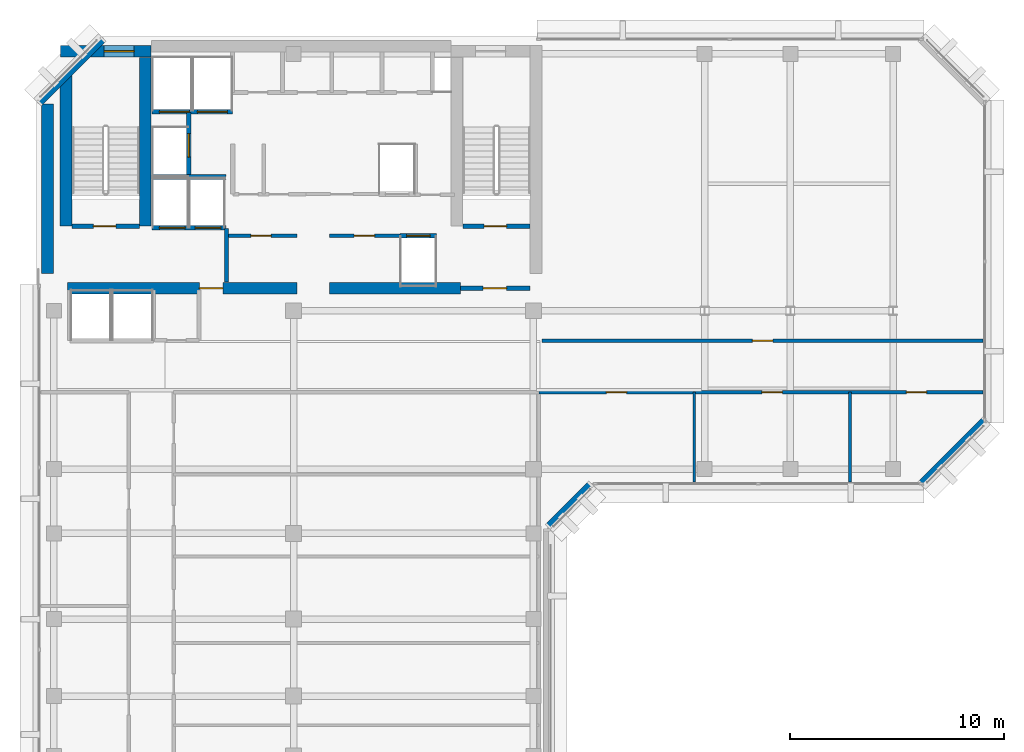
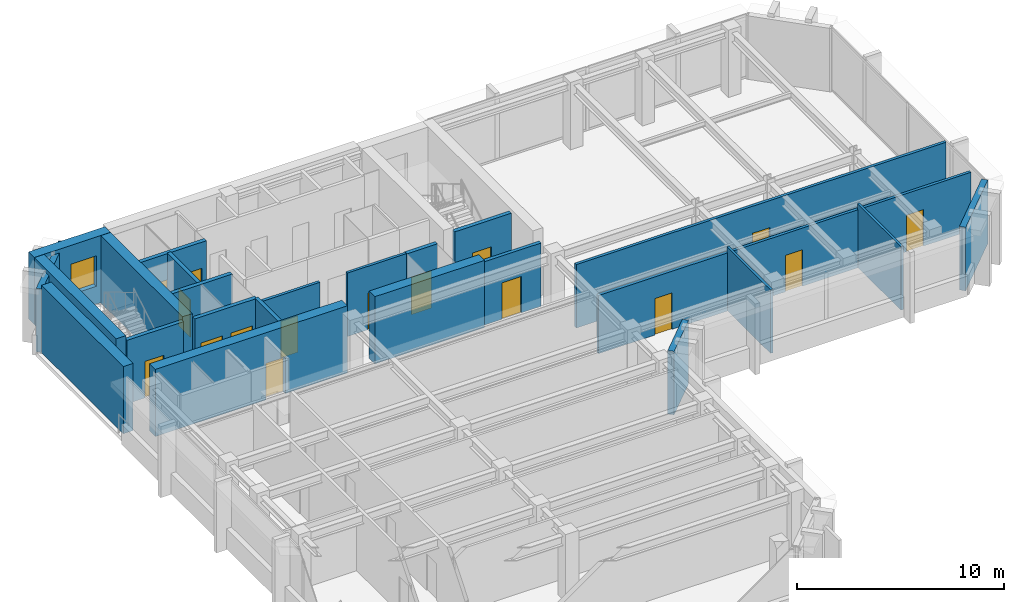
# One storey, part 7 of 11: 24 walls, 16 doors, 1 window, 17 openings.
"""IFC4 building model written with IfcOpenShell, lengths in metres."""

import ifcopenshell
import ifcopenshell.guid

model = None  # the IFC model being written
_history = None  # IfcOwnerHistory: only IFC2X3 demands one
_inside = {}  # id of a spatial element -> (the spatial element, [elements in it])
_under = {}  # id of a project, library or spatial element -> (it, [spatial elements below it])
_declared = {}  # id of a project -> (the project, [libraries it declares])
_typed = {}  # id of a type object -> (the type object, [elements of that type])
_made_of = {}  # id of a material, layer set ... -> (it, [elements and type objects made of it])


def new_model(schema):
    """Start an empty IFC model of exactly this schema.

    Asked for "IFC4X3", IfcOpenShell would pick the latest addendum, in which some entities
    have other attributes; the version numbers below select the first issue.
    IFC2X3 requires an IfcOwnerHistory on every rooted entity: one is made here for all.
    """
    global model, _history
    if schema == "IFC4X3":
        model = ifcopenshell.file(schema_version=(4, 3, 0, 0))
    else:
        model = ifcopenshell.file(schema=schema)
    _inside.clear()
    _under.clear()
    _declared.clear()
    _typed.clear()
    _made_of.clear()
    _history = None
    if model.schema == "IFC2X3":
        org = make("IfcOrganization", Name="unknown")
        user = make(
            "IfcPersonAndOrganization",
            ThePerson=make("IfcPerson", FamilyName="unknown"),
            TheOrganization=org,
        )
        app = make(
            "IfcApplication",
            ApplicationDeveloper=org,
            Version="unknown",
            ApplicationFullName="unknown",
            ApplicationIdentifier="unknown",
        )
        _history = make(
            "IfcOwnerHistory",
            OwningUser=user,
            OwningApplication=app,
            ChangeAction="ADDED",
            CreationDate=0,
        )
    return model


def make(cls, **values):
    """One entity of the class cls with the attributes given. An attribute that is None is left unset."""
    return model.create_entity(
        cls, **{name: value for name, value in values.items() if value is not None}
    )


def rooted(cls, **values):
    """An entity with a GlobalId (a new one), such as an element, a storey or a relation."""
    return make(cls, GlobalId=ifcopenshell.guid.new(), OwnerHistory=_history, **values)


def si_unit(unit_type, name, prefix=None):
    """IfcSIUnit, for example si_unit("LENGTHUNIT", "METRE", prefix="MILLI")."""
    return make("IfcSIUnit", UnitType=unit_type, Prefix=prefix, Name=name)


def assignment(units):
    """IfcUnitAssignment: the units of a project."""
    return None if units is None else make("IfcUnitAssignment", Units=units)


def point(xyz):
    """IfcCartesianPoint."""
    return None if xyz is None else make("IfcCartesianPoint", Coordinates=xyz)


def direction(xyz):
    """IfcDirection."""
    return None if xyz is None else make("IfcDirection", DirectionRatios=xyz)


def frame(location, z_axis=None, x_axis=None):
    """IfcAxis2Placement3D, a coordinate frame: its origin and axes. An axis left out is left unset."""
    return make(
        "IfcAxis2Placement3D",
        Location=point(location),
        Axis=direction(z_axis),
        RefDirection=direction(x_axis),
    )


def frame_2d(location, x_axis=None):
    """IfcAxis2Placement2D, a coordinate frame in the plane: its origin and x axis."""
    return make(
        "IfcAxis2Placement2D", Location=point(location), RefDirection=direction(x_axis)
    )


def origin():
    """The frame at (0, 0, 0) with its axes left unset."""
    return frame((0.0, 0.0, 0.0))


def place(relative_to, where):
    """IfcLocalPlacement: puts the frame where relative to a parent placement (None: the world)."""
    return make(
        "IfcLocalPlacement", PlacementRelTo=relative_to, RelativePlacement=where
    )


def context(
    kind, dimensions, precision=None, world=None, true_north=None, identifier=None
):
    """IfcGeometricRepresentationContext, for example the 3D "Model" context."""
    return make(
        "IfcGeometricRepresentationContext",
        ContextIdentifier=identifier,
        ContextType=kind,
        CoordinateSpaceDimension=dimensions,
        Precision=precision,
        WorldCoordinateSystem=world,
        TrueNorth=true_north,
    )


def subcontext(parent, identifier, kind, view, scale=None):
    """IfcGeometricRepresentationSubContext, for example "Body" below "Model"."""
    return make(
        "IfcGeometricRepresentationSubContext",
        ContextIdentifier=identifier,
        ContextType=kind,
        ParentContext=parent,
        TargetScale=scale,
        TargetView=view,
    )


def project(units=None, contexts=None):
    """IfcProject with its units and contexts."""
    return rooted(
        "IfcProject",
        Name="project",
        RepresentationContexts=contexts,
        UnitsInContext=assignment(units),
    )


def spatial(cls, under=None, at=None, **own):
    """A site, building, storey or space (cls), placed at a placement, below another one or the project."""
    s = rooted(cls, ObjectPlacement=at, **own)
    if under is not None:
        _under.setdefault(under.id(), (under, []))[1].append(s)
    return s


def profile(cls, at=None, kind="AREA", **sizes):
    """A parametric profile (cls). Its sizes go by their IFC names, for example OverallWidth=200.0."""
    return make(cls, ProfileType=kind, Position=at, **sizes)


def rectangle(**sizes):
    """IfcRectangleProfileDef."""
    return profile("IfcRectangleProfileDef", **sizes)


def extrude(swept, where, along, depth):
    """IfcExtrudedAreaSolid: the profile swept, set in the frame where, extruded along a direction by depth."""
    return make(
        "IfcExtrudedAreaSolid",
        SweptArea=swept,
        Position=where,
        ExtrudedDirection=direction(along),
        Depth=depth,
    )


def shape(context_of_items, identifier, shape_type, items):
    """IfcShapeRepresentation: the items that make up one representation, for example the "Body"."""
    return make(
        "IfcShapeRepresentation",
        ContextOfItems=context_of_items,
        RepresentationIdentifier=identifier,
        RepresentationType=shape_type,
        Items=items,
    )


def material(Name=None, Category=None):
    """IfcMaterial."""
    return make("IfcMaterial", Name=Name, Category=Category)


def layer(
    of_material, thickness, ventilated=None, Name=None, Category=None, Priority=None
):
    """IfcMaterialLayer: one layer of a wall or slab, of a material (None: an air gap)."""
    return make(
        "IfcMaterialLayer",
        Material=of_material,
        LayerThickness=thickness,
        IsVentilated=ventilated,
        Name=Name,
        Category=Category,
        Priority=Priority,
    )


def layer_set(layers, Name=None):
    """IfcMaterialLayerSet."""
    return make("IfcMaterialLayerSet", MaterialLayers=layers, LayerSetName=Name)


def made_of(thing, what):
    """Note that an element or type object is made of a material, layer set ...; save() writes the relation."""
    if what is not None:
        _made_of.setdefault(what.id(), (what, []))[1].append(thing)
    return thing


def type_object(cls, material=None, **own):
    """A type object (cls), such as IfcWallType, which elements share."""
    return made_of(rooted(cls, **own), material)


def element(
    cls,
    number,
    at=None,
    inside=None,
    cuts=None,
    type_object=None,
    material=None,
    context=None,
    identifier="Body",
    shape_type=None,
    held_by="IfcProductDefinitionShape",
    body=None,
    shapes=None,
    **own,
):
    """One element of the class cls, such as IfcWall. Its Tag is "e" and its number.

    at: its placement. inside: the storey or other place that contains it. cuts: it is an
    opening in that element (IfcRelVoidsElement). A single representation is given by context,
    identifier, shape_type and body (its items); several are given by shapes. held_by: the class
    of the entity that holds the representations. save() writes the other relations.
    """
    e = rooted(cls, Tag="e%d" % number, ObjectPlacement=at, **own)
    if body is not None:
        shapes = [shape(context, identifier, shape_type, body)]
    if shapes is not None:
        e.Representation = make(held_by, Representations=shapes)
    if inside is not None:
        _inside.setdefault(inside.id(), (inside, []))[1].append(e)
    if cuts is not None:
        rooted(
            "IfcRelVoidsElement", RelatingBuildingElement=cuts, RelatedOpeningElement=e
        )
    if type_object is not None:
        _typed.setdefault(type_object.id(), (type_object, []))[1].append(e)
    return made_of(e, material)


def fill(opening, filler):
    """IfcRelFillsElement: the door or window that sits in an opening."""
    return rooted(
        "IfcRelFillsElement",
        RelatingOpeningElement=opening,
        RelatedBuildingElement=filler,
    )


def aggregate(whole, parts):
    """IfcRelAggregates: a whole, such as a stair, and the parts it consists of."""
    return rooted("IfcRelAggregates", RelatingObject=whole, RelatedObjects=parts)


def save(model, path):
    """Write the relations noted so far, then the file.

    IfcRelAggregates (storeys below a building ...), IfcRelContainedInSpatialStructure (elements
    in a storey), IfcRelDefinesByType, IfcRelAssociatesMaterial and IfcRelDeclares: one each for
    every whole, place, type object, material and project.
    """
    for whole, parts in _under.values():
        aggregate(whole, parts)
    for where, things in _inside.values():
        rooted(
            "IfcRelContainedInSpatialStructure",
            RelatedElements=things,
            RelatingStructure=where,
        )
    for kind, things in _typed.values():
        rooted("IfcRelDefinesByType", RelatedObjects=things, RelatingType=kind)
    for what, things in _made_of.values():
        rooted("IfcRelAssociatesMaterial", RelatedObjects=things, RelatingMaterial=what)
    for by, libraries in _declared.values():
        rooted("IfcRelDeclares", RelatingContext=by, RelatedDefinitions=libraries)
    model.write(path)


model = new_model("IFC4")

# Units and contexts
model_context = context("Model", 3, precision=1e-05, world=origin(), true_north=direction((0.0, 1.0)))
body_context = subcontext(model_context, "Body", "Model", "MODEL_VIEW")
ifc_project = project(units=[si_unit("LENGTHUNIT", "METRE"), si_unit("AREAUNIT", "SQUARE_METRE"), si_unit("VOLUMEUNIT", "CUBIC_METRE"), si_unit("PLANEANGLEUNIT", "RADIAN"), si_unit("MASSUNIT", "GRAM", prefix="KILO")], contexts=[model_context])

# Site, building, storey
site_placement = place(None, origin())
site = spatial("IfcSite", under=ifc_project, at=site_placement, CompositionType="ELEMENT")
building_placement = place(site_placement, origin())
building = spatial("IfcBuilding", under=site, at=building_placement, Name="Kefirva Bronze Tower", CompositionType="ELEMENT")
storey_placement = place(building_placement, frame((0.0, 0.0, 335.610107421875)))
storey = spatial("IfcBuildingStorey", under=building, at=storey_placement, Name="L82", CompositionType="ELEMENT", Elevation=335.610107421875)

# Walls
ifc_material_1 = material(Name="Gypsum acoustic partition")
ifc_layer_1 = layer(ifc_material_1, 0.1298828125, Name="Gypsum acoustic partition")
ifc_layer_set_1 = layer_set([ifc_layer_1], Name="Gypsum acoustic partition")
wall_type_1 = type_object("IfcWallType", Name="Acoustic Office Partition 130mm", PredefinedType="PARTITIONING", material=ifc_layer_set_1)
for number, where, z_axis, x_axis, name in (
    (1, (30.716064453125, 25.18994140625, 0.0), (0.0, 0.0, 1.0), (0.0, 1.0, 0.0), "L82 Partition W-L82-ESD1"),
    (2, (37.98193359375, 25.18994140625, 0.0), (0.0, 0.0, 1.0), (0.0, 1.0, 0.0), "L82 Partition W-L82-ESD2"),
):
    element("IfcWall", number, at=place(storey_placement, frame(where, z_axis=z_axis, x_axis=x_axis)), inside=storey, type_object=wall_type_1, Name=name, PredefinedType="PARTITIONING", context=body_context, shape_type="SweptSolid", body=[
        extrude(rectangle(XDim=4.2099609375, YDim=0.1298828125, at=frame_2d((2.10498046875, 0.0))), origin(), (0.0, 0.0, 1.0), 3.739990234375),
    ])

# Wall, opening, door
ifc_layer_2 = layer(ifc_material_1, 0.14990234375, Name="Gypsum acoustic partition")
ifc_layer_set_2 = layer_set([ifc_layer_2], Name="Gypsum acoustic partition")
wall_type_2 = type_object("IfcWallType", Name="Executive Suite Partition 150mm", PredefinedType="PARTITIONING", material=ifc_layer_set_2)
wall_1_placement = place(storey_placement, frame((13.679931640625, 36.699951171875, 0.0), z_axis=(0.0, 0.0, 1.0), x_axis=(1.0, 0.0, 0.0)))
wall_1 = element("IfcWall", 3, at=wall_1_placement, inside=storey, type_object=wall_type_2, Name="L82 Partition W-L82-RECMP1", PredefinedType="PARTITIONING", context=body_context, shape_type="SweptSolid", body=[
    extrude(rectangle(XDim=3.280029296875, YDim=0.14990234375, at=frame_2d((1.64013671875, 0.0))), origin(), (0.0, 0.0, 1.0), 3.739990234375),
])
opening_1_placement = place(wall_1_placement, frame((1.14990234375, 0.0, 0.0)))
opening_1 = element("IfcOpeningElement", 4, at=opening_1_placement, cuts=wall_1, Name="Opening L82-D-RECMP1", PredefinedType="OPENING", context=body_context, shape_type="SweptSolid", body=[
    extrude(rectangle(XDim=0.949951171875, YDim=2.14990234375, at=frame_2d((0.47509765625, 1.074951171875))), frame((0.0, 0.0849609375, 0.0), z_axis=(0.0, -1.0, 0.0), x_axis=(1.0, 0.0, 0.0)), (0.0, 0.0, 1.0), 0.169921875),
])
ifc_material_2 = material(Name="Acoustic hardwood oak", Category="wood")
door_type_1 = type_object("IfcDoorType", Name="Office & Meeting Room Door 950x2150", OperationType="NOTDEFINED", PredefinedType="DOOR", material=ifc_material_2)
door_1_placement = place(opening_1_placement, origin())
door_1 = element("IfcDoor", 5, at=door_1_placement, inside=storey, type_object=door_type_1, Name="Door L82-D-RECMP1", OperationType="SINGLE_SWING_LEFT", OverallHeight=2.14990234375, OverallWidth=0.949951171875, PredefinedType="DOOR", context=body_context, shape_type="SweptSolid", body=[
    extrude(rectangle(XDim=0.949951171875, YDim=2.14990234375, at=frame_2d((0.47509765625, 1.074951171875))), frame((0.0, 0.02490234375, 0.0), z_axis=(0.0, -1.0, 0.0), x_axis=(1.0, 0.0, 0.0)), (0.0, 0.0, 1.0), 0.050048828125),
])
fill(opening_1, door_1)

ifc_material_3 = material(Name="Gypsum fireboard shaftwall")
ifc_layer_3 = layer(ifc_material_3, 0.219970703125, Name="Gypsum fireboard shaftwall")
ifc_layer_set_3 = layer_set([ifc_layer_3], Name="Gypsum fireboard shaftwall")
wall_type_3 = type_object("IfcWallType", Name="Fire-Rated Shaft Enclosure Wall 220mm", PredefinedType="PARTITIONING", material=ifc_layer_set_3)
wall_2_placement = place(storey_placement, frame((1.64990234375, 37.14990234375, 0.0), z_axis=(0.0, 0.0, 1.0), x_axis=(1.0, 0.0, 0.0)))
wall_2 = element("IfcWall", 6, at=wall_2_placement, inside=storey, type_object=wall_type_3, Name="L82 Partition W-L82-ST1S", PredefinedType="PARTITIONING", context=body_context, shape_type="SweptSolid", body=[
    extrude(rectangle(XDim=3.150146484375, YDim=0.219970703125, at=frame_2d((1.5751953125, 0.0))), origin(), (0.0, 0.0, 1.0), 3.739990234375),
])
opening_2_placement = place(wall_2_placement, frame((2.050048828125, 0.0, 0.0), z_axis=(0.0, 0.0, 1.0), x_axis=(-1.0, 0.0, 0.0)))
opening_2 = element("IfcOpeningElement", 7, at=opening_2_placement, cuts=wall_2, Name="Opening L82-D001", PredefinedType="OPENING", context=body_context, shape_type="SweptSolid", body=[
    extrude(rectangle(XDim=1.050048828125, YDim=2.14990234375, at=frame_2d((0.52490234375, 1.074951171875))), frame((0.0, 0.1201171875, 0.0), z_axis=(0.0, -1.0, 0.0), x_axis=(1.0, 0.0, 0.0)), (0.0, 0.0, 1.0), 0.239990234375),
])
ifc_material_4 = material(Name="Painted galvanized steel", Category="steel")
door_type_2 = type_object("IfcDoorType", Name="Fire Stair Enclosure Door 1050x2150 FD90S", OperationType="NOTDEFINED", PredefinedType="DOOR", material=ifc_material_4)
door_2_placement = place(opening_2_placement, origin())
door_2 = element("IfcDoor", 8, at=door_2_placement, inside=storey, type_object=door_type_2, Name="Door L82-D001", OperationType="SINGLE_SWING_RIGHT", OverallHeight=2.14990234375, OverallWidth=1.050048828125, PredefinedType="DOOR", context=body_context, shape_type="SweptSolid", body=[
    extrude(rectangle(XDim=1.050048828125, YDim=2.14990234375, at=frame_2d((0.52490234375, 1.074951171875))), frame((0.0, 0.02490234375, 0.0), z_axis=(0.0, -1.0, 0.0), x_axis=(1.0, 0.0, 0.0)), (0.0, 0.0, 1.0), 0.050048828125),
])
fill(opening_2, door_2)

wall_3_placement = place(storey_placement, frame((19.89990234375, 37.14990234375, 0.0), z_axis=(0.0, 0.0, 1.0), x_axis=(1.0, 0.0, 0.0)))
wall_3 = element("IfcWall", 9, at=wall_3_placement, inside=storey, type_object=wall_type_3, Name="L82 Partition W-L82-ST2S", PredefinedType="PARTITIONING", context=body_context, shape_type="SweptSolid", body=[
    extrude(rectangle(XDim=3.150146484375, YDim=0.219970703125, at=frame_2d((1.5751953125, 0.0))), origin(), (0.0, 0.0, 1.0), 3.739990234375),
])
opening_3_placement = place(wall_3_placement, frame((2.050048828125, 0.0, 0.0), z_axis=(0.0, 0.0, 1.0), x_axis=(-1.0, 0.0, 0.0)))
opening_3 = element("IfcOpeningElement", 10, at=opening_3_placement, cuts=wall_3, Name="Opening L82-D003", PredefinedType="OPENING", context=body_context, shape_type="SweptSolid", body=[
    extrude(rectangle(XDim=1.050048828125, YDim=2.14990234375, at=frame_2d((0.52490234375, 1.074951171875))), frame((0.0, 0.1201171875, 0.0), z_axis=(0.0, -1.0, 0.0), x_axis=(1.0, 0.0, 0.0)), (0.0, 0.0, 1.0), 0.239990234375),
])
door_3_placement = place(opening_3_placement, origin())
door_3 = element("IfcDoor", 11, at=door_3_placement, inside=storey, type_object=door_type_2, Name="Door L82-D003", OperationType="SINGLE_SWING_RIGHT", OverallHeight=2.14990234375, OverallWidth=1.050048828125, PredefinedType="DOOR", context=body_context, shape_type="SweptSolid", body=[
    extrude(rectangle(XDim=1.050048828125, YDim=2.14990234375, at=frame_2d((0.52490234375, 1.074951171875))), frame((0.0, 0.02490234375, 0.0), z_axis=(0.0, -1.0, 0.0), x_axis=(1.0, 0.0, 0.0)), (0.0, 0.0, 1.0), 0.050048828125),
])
fill(opening_3, door_3)

# Wall, openings, doors
wall_4_placement = place(storey_placement, frame((5.3798828125, 37.080078125, 0.0), z_axis=(0.0, 0.0, 1.0), x_axis=(1.0, 0.0, 0.0)))
wall_4 = element("IfcWall", 12, at=wall_4_placement, inside=storey, type_object=wall_type_3, Name="L82 Partition W-L82-FFS", PredefinedType="PARTITIONING", context=body_context, shape_type="SweptSolid", body=[
    extrude(rectangle(XDim=3.460205078125, YDim=0.219970703125, at=frame_2d((1.72998046875, 0.0))), origin(), (0.0, 0.0, 1.0), 3.739990234375),
])
opening_4_placement = place(wall_4_placement, frame((1.550048828125, 0.0, 0.0), z_axis=(0.0, 0.0, 1.0), x_axis=(-1.0, 0.0, 0.0)))
opening_4 = element("IfcOpeningElement", 13, at=opening_4_placement, cuts=wall_4, Name="Opening L82-LD-FF1", PredefinedType="OPENING", context=body_context, shape_type="SweptSolid", body=[
    extrude(rectangle(XDim=1.199951171875, YDim=2.199951171875, at=frame_2d((0.60009765625, 1.10009765625))), frame((0.0, 0.1201171875, 0.0), z_axis=(0.0, -1.0, 0.0), x_axis=(1.0, 0.0, 0.0)), (0.0, 0.0, 1.0), 0.239990234375),
])
opening_5_placement = place(wall_4_placement, frame((3.219970703125, 0.0, 0.0), z_axis=(0.0, 0.0, 1.0), x_axis=(-1.0, 0.0, 0.0)))
opening_5 = element("IfcOpeningElement", 14, at=opening_5_placement, cuts=wall_4, Name="Opening L82-LD-FF2", PredefinedType="OPENING", context=body_context, shape_type="SweptSolid", body=[
    extrude(rectangle(XDim=1.199951171875, YDim=2.199951171875, at=frame_2d((0.60009765625, 1.10009765625))), frame((0.0, 0.1201171875, 0.0), z_axis=(0.0, -1.0, 0.0), x_axis=(1.0, 0.0, 0.0)), (0.0, 0.0, 1.0), 0.239990234375),
])
ifc_material_5 = material(Name="Stainless steel 316", Category="steel")
door_type_3 = type_object("IfcDoorType", Name="Firefighting Lift Sliding Door 1200x2200", OperationType="SLIDING_TO_RIGHT", PredefinedType="DOOR", material=ifc_material_5)
door_4_placement = place(opening_4_placement, origin())
door_4 = element("IfcDoor", 15, at=door_4_placement, inside=storey, type_object=door_type_3, Name="Door L82-LD-FF1", OperationType="SLIDING_TO_RIGHT", OverallHeight=2.199951171875, OverallWidth=1.199951171875, PredefinedType="DOOR", context=body_context, shape_type="SweptSolid", body=[
    extrude(rectangle(XDim=1.199951171875, YDim=2.199951171875, at=frame_2d((0.60009765625, 1.10009765625))), frame((0.0, 0.02490234375, 0.0), z_axis=(0.0, -1.0, 0.0), x_axis=(1.0, 0.0, 0.0)), (0.0, 0.0, 1.0), 0.050048828125),
])
fill(opening_4, door_4)
door_5_placement = place(opening_5_placement, origin())
door_5 = element("IfcDoor", 16, at=door_5_placement, inside=storey, type_object=door_type_3, Name="Door L82-LD-FF2", OperationType="SLIDING_TO_RIGHT", OverallHeight=2.199951171875, OverallWidth=1.199951171875, PredefinedType="DOOR", context=body_context, shape_type="SweptSolid", body=[
    extrude(rectangle(XDim=1.199951171875, YDim=2.199951171875, at=frame_2d((0.60009765625, 1.10009765625))), frame((0.0, 0.02490234375, 0.0), z_axis=(0.0, -1.0, 0.0), x_axis=(1.0, 0.0, 0.0)), (0.0, 0.0, 1.0), 0.050048828125),
])
fill(opening_5, door_5)

# Wall
wall_5_placement = place(storey_placement, frame((5.3798828125, 39.449951171875, 0.0), z_axis=(0.0, 0.0, 1.0), x_axis=(1.0, 0.0, 0.0)))
element("IfcWall", 17, at=wall_5_placement, inside=storey, type_object=wall_type_3, Name="L82 Partition W-L82-FFN", PredefinedType="PARTITIONING", context=body_context, shape_type="SweptSolid", body=[
    extrude(rectangle(XDim=3.460205078125, YDim=0.219970703125, at=frame_2d((1.72998046875, 0.0))), origin(), (0.0, 0.0, 1.0), 3.739990234375),
])

# Wall, openings, doors
wall_6_placement = place(storey_placement, frame((5.3798828125, 42.5, 0.0), z_axis=(0.0, 0.0, 1.0), x_axis=(1.0, 0.0, 0.0)))
wall_6 = element("IfcWall", 18, at=wall_6_placement, inside=storey, type_object=wall_type_3, Name="L82 Partition W-L82-SVS", PredefinedType="PARTITIONING", context=body_context, shape_type="SweptSolid", body=[
    extrude(rectangle(XDim=3.77001953125, YDim=0.219970703125, at=frame_2d((1.885009765625, 0.0))), origin(), (0.0, 0.0, 1.0), 3.739990234375),
])
opening_6_placement = place(wall_6_placement, frame((1.75, 0.0, 0.0), z_axis=(0.0, 0.0, 1.0), x_axis=(-1.0, 0.0, 0.0)))
opening_6 = element("IfcOpeningElement", 19, at=opening_6_placement, cuts=wall_6, Name="Opening L82-LD-SV1", PredefinedType="OPENING", context=body_context, shape_type="SweptSolid", body=[
    extrude(rectangle(XDim=1.39990234375, YDim=2.199951171875, at=frame_2d((0.699951171875, 1.10009765625))), frame((0.0, 0.1201171875, 0.0), z_axis=(0.0, -1.0, 0.0), x_axis=(1.0, 0.0, 0.0)), (0.0, 0.0, 1.0), 0.239990234375),
])
opening_7_placement = place(wall_6_placement, frame((3.52978515625, 0.0, 0.0), z_axis=(0.0, 0.0, 1.0), x_axis=(-1.0, 0.0, 0.0)))
opening_7 = element("IfcOpeningElement", 20, at=opening_7_placement, cuts=wall_6, Name="Opening L82-LD-SV2", PredefinedType="OPENING", context=body_context, shape_type="SweptSolid", body=[
    extrude(rectangle(XDim=1.39990234375, YDim=2.199951171875, at=frame_2d((0.699951171875, 1.10009765625))), frame((0.0, 0.1201171875, 0.0), z_axis=(0.0, -1.0, 0.0), x_axis=(1.0, 0.0, 0.0)), (0.0, 0.0, 1.0), 0.239990234375),
])
door_type_4 = type_object("IfcDoorType", Name="Goods Lift Bi-Parting Sliding Door 1400x2200", OperationType="SLIDING_TO_LEFT", PredefinedType="DOOR", material=ifc_material_5)
door_6_placement = place(opening_6_placement, origin())
door_6 = element("IfcDoor", 21, at=door_6_placement, inside=storey, type_object=door_type_4, Name="Door L82-LD-SV1", OperationType="SLIDING_TO_LEFT", OverallHeight=2.199951171875, OverallWidth=1.39990234375, PredefinedType="DOOR", context=body_context, shape_type="SweptSolid", body=[
    extrude(rectangle(XDim=1.39990234375, YDim=2.199951171875, at=frame_2d((0.699951171875, 1.10009765625))), frame((0.0, 0.02490234375, 0.0), z_axis=(0.0, -1.0, 0.0), x_axis=(1.0, 0.0, 0.0)), (0.0, 0.0, 1.0), 0.050048828125),
])
fill(opening_6, door_6)
door_7_placement = place(opening_7_placement, origin())
door_7 = element("IfcDoor", 22, at=door_7_placement, inside=storey, type_object=door_type_4, Name="Door L82-LD-SV2", OperationType="SLIDING_TO_LEFT", OverallHeight=2.199951171875, OverallWidth=1.39990234375, PredefinedType="DOOR", context=body_context, shape_type="SweptSolid", body=[
    extrude(rectangle(XDim=1.39990234375, YDim=2.199951171875, at=frame_2d((0.699951171875, 1.10009765625))), frame((0.0, 0.02490234375, 0.0), z_axis=(0.0, -1.0, 0.0), x_axis=(1.0, 0.0, 0.0)), (0.0, 0.0, 1.0), 0.050048828125),
])
fill(opening_7, door_7)

# Wall, opening, door
wall_7_placement = place(storey_placement, frame((7.10009765625, 39.52001953125, 0.0), z_axis=(0.0, 0.0, 1.0), x_axis=(0.0, 1.0, 0.0)))
wall_7 = element("IfcWall", 23, at=wall_7_placement, inside=storey, type_object=wall_type_3, Name="L82 Partition W-L82-HP3E", PredefinedType="PARTITIONING", context=body_context, shape_type="SweptSolid", body=[
    extrude(rectangle(XDim=2.929931640625, YDim=0.219970703125, at=frame_2d((1.46484375, 0.0))), origin(), (0.0, 0.0, 1.0), 3.739990234375),
])
opening_8_placement = place(wall_7_placement, frame((0.85009765625, 0.0, 0.0)))
opening_8 = element("IfcOpeningElement", 24, at=opening_8_placement, cuts=wall_7, Name="Opening L82-LD-HP3", PredefinedType="OPENING", context=body_context, shape_type="SweptSolid", body=[
    extrude(rectangle(XDim=1.10009765625, YDim=2.199951171875, at=frame_2d((0.550048828125, 1.10009765625))), frame((0.0, 0.1201171875, 0.0), z_axis=(0.0, -1.0, 0.0), x_axis=(1.0, 0.0, 0.0)), (0.0, 0.0, 1.0), 0.239990234375),
])
door_type_5 = type_object("IfcDoorType", Name="Passenger Lift Sliding Landing Door 1100x2200", OperationType="SLIDING_TO_LEFT", PredefinedType="DOOR", material=ifc_material_5)
door_8_placement = place(opening_8_placement, origin())
door_8 = element("IfcDoor", 25, at=door_8_placement, inside=storey, type_object=door_type_5, Name="Door L82-LD-HP3", OperationType="SLIDING_TO_LEFT", OverallHeight=2.199951171875, OverallWidth=1.10009765625, PredefinedType="DOOR", context=body_context, shape_type="SweptSolid", body=[
    extrude(rectangle(XDim=1.10009765625, YDim=2.199951171875, at=frame_2d((0.550048828125, 1.10009765625))), frame((0.0, 0.02490234375, 0.0), z_axis=(0.0, -1.0, 0.0), x_axis=(1.0, 0.0, 0.0)), (0.0, 0.0, 1.0), 0.050048828125),
])
fill(opening_8, door_8)

wall_8_placement = place(storey_placement, frame((16.97998046875, 36.699951171875, 0.0), z_axis=(0.0, 0.0, 1.0), x_axis=(1.0, 0.0, 0.0)))
wall_8 = element("IfcWall", 26, at=wall_8_placement, inside=storey, type_object=wall_type_3, Name="L82 Partition W-L82-HPS", PredefinedType="PARTITIONING", context=body_context, shape_type="SweptSolid", body=[
    extrude(rectangle(XDim=1.699951171875, YDim=0.219970703125, at=frame_2d((0.85009765625, 0.0))), origin(), (0.0, 0.0, 1.0), 3.739990234375),
])
opening_9_placement = place(wall_8_placement, frame((0.300048828125, 0.0, 0.0)))
opening_9 = element("IfcOpeningElement", 27, at=opening_9_placement, cuts=wall_8, Name="Opening L82-LD-HP1", PredefinedType="OPENING", context=body_context, shape_type="SweptSolid", body=[
    extrude(rectangle(XDim=1.10009765625, YDim=2.199951171875, at=frame_2d((0.550048828125, 1.10009765625))), frame((0.0, 0.1201171875, 0.0), z_axis=(0.0, -1.0, 0.0), x_axis=(1.0, 0.0, 0.0)), (0.0, 0.0, 1.0), 0.239990234375),
])
door_9_placement = place(opening_9_placement, origin())
door_9 = element("IfcDoor", 28, at=door_9_placement, inside=storey, type_object=door_type_5, Name="Door L82-LD-HP1", OperationType="SLIDING_TO_LEFT", OverallHeight=2.199951171875, OverallWidth=1.10009765625, PredefinedType="DOOR", context=body_context, shape_type="SweptSolid", body=[
    extrude(rectangle(XDim=1.10009765625, YDim=2.199951171875, at=frame_2d((0.550048828125, 1.10009765625))), frame((0.0, 0.02490234375, 0.0), z_axis=(0.0, -1.0, 0.0), x_axis=(1.0, 0.0, 0.0)), (0.0, 0.0, 1.0), 0.050048828125),
])
fill(opening_9, door_9)

# Wall
ifc_material_6 = material(Name="Gypsum fireboard barrier")
ifc_layer_4 = layer(ifc_material_6, 0.199951171875, Name="Gypsum fireboard barrier")
ifc_layer_set_4 = layer_set([ifc_layer_4], Name="Gypsum fireboard barrier")
wall_type_4 = type_object("IfcWallType", Name="Firefighting Lobby Barrier Wall 200mm", PredefinedType="PARTITIONING", material=ifc_layer_set_4)
wall_9_placement = place(storey_placement, frame((8.860107421875, 34.550048828125, 0.0), z_axis=(0.0, 0.0, 1.0), x_axis=(0.0, 1.0, 0.0)))
element("IfcWall", 29, at=wall_9_placement, inside=storey, type_object=wall_type_4, Name="L82 Partition W-L82-FFLE", PredefinedType="PARTITIONING", context=body_context, shape_type="SweptSolid", body=[
    extrude(rectangle(XDim=2.5, YDim=0.199951171875, at=frame_2d((1.25, 0.0))), origin(), (0.0, 0.0, 1.0), 3.739990234375),
])

# Wall, opening, door
wall_10_placement = place(storey_placement, frame((19.800048828125, 34.25, 0.0), z_axis=(0.0, 0.0, 1.0), x_axis=(1.0, 0.0, 0.0)))
wall_10 = element("IfcWall", 30, at=wall_10_placement, inside=storey, type_object=wall_type_4, Name="L82 Partition W-L82-ST2F", PredefinedType="PARTITIONING", context=body_context, shape_type="SweptSolid", body=[
    extrude(rectangle(XDim=3.25, YDim=0.199951171875, at=frame_2d((1.625, 0.0))), origin(), (0.0, 0.0, 1.0), 3.739990234375),
])
opening_10_placement = place(wall_10_placement, frame((2.150146484375, 0.0, 0.0), z_axis=(0.0, 0.0, 1.0), x_axis=(-1.0, 0.0, 0.0)))
opening_10 = element("IfcOpeningElement", 31, at=opening_10_placement, cuts=wall_10, Name="Opening L82-D004", PredefinedType="OPENING", context=body_context, shape_type="SweptSolid", body=[
    extrude(rectangle(XDim=1.10009765625, YDim=2.14990234375, at=frame_2d((0.550048828125, 1.074951171875))), frame((0.0, 0.10986328125, 0.0), z_axis=(0.0, -1.0, 0.0), x_axis=(1.0, 0.0, 0.0)), (0.0, 0.0, 1.0), 0.219970703125),
])
door_type_6 = type_object("IfcDoorType", Name="Firefighting Lobby Smoke Door 1100x2150 FD60S", OperationType="NOTDEFINED", PredefinedType="DOOR", material=ifc_material_4)
door_10_placement = place(opening_10_placement, origin())
door_10 = element("IfcDoor", 32, at=door_10_placement, inside=storey, type_object=door_type_6, Name="Door L82-D004", OperationType="SINGLE_SWING_LEFT", OverallHeight=2.14990234375, OverallWidth=1.10009765625, PredefinedType="DOOR", context=body_context, shape_type="SweptSolid", body=[
    extrude(rectangle(XDim=1.10009765625, YDim=2.14990234375, at=frame_2d((0.550048828125, 1.074951171875))), frame((0.0, 0.02490234375, 0.0), z_axis=(0.0, -1.0, 0.0), x_axis=(1.0, 0.0, 0.0)), (0.0, 0.0, 1.0), 0.050048828125),
])
fill(opening_10, door_10)

# Walls
ifc_material_7 = material(Name="Precast concrete C40/50", Category="concrete")
ifc_layer_5 = layer(ifc_material_7, 0.320068359375, Name="Precast concrete C40/50")
ifc_layer_set_5 = layer_set([ifc_layer_5], Name="Precast concrete C40/50")
wall_type_5 = type_object("IfcWallType", Name="Precast Insulated Exterior Wall 320mm", PredefinedType="SOLIDWALL", material=ifc_layer_set_5)
wall_11_placement = place(storey_placement, frame((23.92578125, 23.152099609375, 0.0), z_axis=(0.0, 0.0, 1.0), x_axis=(0.707106781187, 0.707106781187, 0.0)))
element("IfcWall", 33, at=wall_11_placement, inside=storey, type_object=wall_type_5, Name="L82 Exterior Facade Wall 3", PredefinedType="SOLIDWALL", context=body_context, shape_type="SweptSolid", body=[
    extrude(rectangle(XDim=2.71826171875, YDim=0.320068359375, at=frame_2d((1.359130859375, 0.0))), origin(), (0.0, 0.0, 1.0), 3.739990234375),
])
for number, where, z_axis, x_axis, name in (
    (34, (41.32568359375, 25.152099609375, 0.0), (0.0, 0.0, 1.0), (0.707136318428, 0.707077242712, 0.0), "L82 Exterior Facade Wall 4"),
    (35, (3.07421875, 45.847900390625, 0.0), (0.0, 0.0, 1.0), (-0.707106781187, -0.707106781187, 0.0), "L82 Exterior Facade Wall 6"),
):
    element("IfcWall", number, at=place(storey_placement, frame(where, z_axis=z_axis, x_axis=x_axis)), inside=storey, type_object=wall_type_5, Name=name, PredefinedType="SOLIDWALL", context=body_context, shape_type="SweptSolid", body=[
        extrude(rectangle(XDim=4.132568359375, YDim=0.320068359375, at=frame_2d((2.06640625, 0.0))), origin(), (0.0, 0.0, 1.0), 3.739990234375),
    ])

# Wall, opening, door
ifc_layer_6 = layer(ifc_material_1, 0.159912109375, Name="Gypsum acoustic partition")
ifc_layer_set_6 = layer_set([ifc_layer_6], Name="Gypsum acoustic partition")
wall_type_6 = type_object("IfcWallType", Name="Protected Corridor Partition 160mm", PredefinedType="PARTITIONING", material=ifc_layer_set_6)
wall_12_placement = place(storey_placement, frame((8.89990234375, 36.699951171875, 0.0), z_axis=(0.0, 0.0, 1.0), x_axis=(1.0, 0.0, 0.0)))
wall_12 = element("IfcWall", 36, at=wall_12_placement, inside=storey, type_object=wall_type_6, Name="L82 Partition W-L82-RECLP1", PredefinedType="PARTITIONING", context=body_context, shape_type="SweptSolid", body=[
    extrude(rectangle(XDim=3.25, YDim=0.159912109375, at=frame_2d((1.625, 0.0))), origin(), (0.0, 0.0, 1.0), 3.739990234375),
])
opening_11_placement = place(wall_12_placement, frame((1.10009765625, 0.0, 0.0)))
opening_11 = element("IfcOpeningElement", 37, at=opening_11_placement, cuts=wall_12, Name="Opening L82-D-RECLP1", PredefinedType="OPENING", context=body_context, shape_type="SweptSolid", body=[
    extrude(rectangle(XDim=0.949951171875, YDim=2.14990234375, at=frame_2d((0.47509765625, 1.074951171875))), frame((0.0, 0.08984375, 0.0), z_axis=(0.0, -1.0, 0.0), x_axis=(1.0, 0.0, 0.0)), (0.0, 0.0, 1.0), 0.179931640625),
])
door_11_placement = place(opening_11_placement, origin())
door_11 = element("IfcDoor", 38, at=door_11_placement, inside=storey, type_object=door_type_1, Name="Door L82-D-RECLP1", OperationType="SINGLE_SWING_RIGHT", OverallHeight=2.14990234375, OverallWidth=0.949951171875, PredefinedType="DOOR", context=body_context, shape_type="SweptSolid", body=[
    extrude(rectangle(XDim=0.949951171875, YDim=2.14990234375, at=frame_2d((0.47509765625, 1.074951171875))), frame((0.0, 0.02490234375, 0.0), z_axis=(0.0, -1.0, 0.0), x_axis=(1.0, 0.0, 0.0)), (0.0, 0.0, 1.0), 0.050048828125),
])
fill(opening_11, door_11)

# Wall, openings, doors
wall_13_placement = place(storey_placement, frame((23.449951171875, 29.39990234375, 0.0), z_axis=(0.0, 0.0, 1.0), x_axis=(1.0, 0.0, 0.0)))
wall_13 = element("IfcWall", 39, at=wall_13_placement, inside=storey, type_object=wall_type_6, Name="L82 Partition W-L82-EWS", PredefinedType="PARTITIONING", context=body_context, shape_type="SweptSolid", body=[
    extrude(rectangle(XDim=20.760009765625, YDim=0.159912109375, at=frame_2d((10.3798828125, 0.0))), origin(), (0.0, 0.0, 1.0), 3.4248046875),
])
opening_12_placement = place(wall_13_placement, frame((4.10791015625, 0.0, 0.0), z_axis=(0.0, 0.0, 1.0), x_axis=(-1.0, 0.0, 0.0)))
opening_12 = element("IfcOpeningElement", 40, at=opening_12_placement, cuts=wall_13, Name="Opening L82-D-ES1", PredefinedType="OPENING", context=body_context, shape_type="SweptSolid", body=[
    extrude(rectangle(XDim=0.949951171875, YDim=2.14990234375, at=frame_2d((0.47509765625, 1.074951171875))), frame((0.0, 0.08984375, 0.0), z_axis=(0.0, -1.0, 0.0), x_axis=(1.0, 0.0, 0.0)), (0.0, 0.0, 1.0), 0.179931640625),
])
opening_13_placement = place(wall_13_placement, frame((11.3740234375, 0.0, 0.0), z_axis=(0.0, 0.0, 1.0), x_axis=(-1.0, 0.0, 0.0)))
opening_13 = element("IfcOpeningElement", 41, at=opening_13_placement, cuts=wall_13, Name="Opening L82-D-ES2", PredefinedType="OPENING", context=body_context, shape_type="SweptSolid", body=[
    extrude(rectangle(XDim=0.949951171875, YDim=2.14990234375, at=frame_2d((0.47509765625, 1.074951171875))), frame((0.0, 0.08984375, 0.0), z_axis=(0.0, -1.0, 0.0), x_axis=(1.0, 0.0, 0.0)), (0.0, 0.0, 1.0), 0.179931640625),
])
opening_14_placement = place(wall_13_placement, frame((18.120849609375, 0.0, 0.0), z_axis=(0.0, 0.0, 1.0), x_axis=(-1.0, 0.0, 0.0)))
opening_14 = element("IfcOpeningElement", 42, at=opening_14_placement, cuts=wall_13, Name="Opening L82-D-ES3", PredefinedType="OPENING", context=body_context, shape_type="SweptSolid", body=[
    extrude(rectangle(XDim=0.949951171875, YDim=2.14990234375, at=frame_2d((0.47509765625, 1.074951171875))), frame((0.0, 0.08984375, 0.0), z_axis=(0.0, -1.0, 0.0), x_axis=(1.0, 0.0, 0.0)), (0.0, 0.0, 1.0), 0.179931640625),
])
door_12_placement = place(opening_12_placement, origin())
door_12 = element("IfcDoor", 43, at=door_12_placement, inside=storey, type_object=door_type_1, Name="Door L82-D-ES1", OperationType="SINGLE_SWING_LEFT", OverallHeight=2.14990234375, OverallWidth=0.949951171875, PredefinedType="DOOR", context=body_context, shape_type="SweptSolid", body=[
    extrude(rectangle(XDim=0.949951171875, YDim=2.14990234375, at=frame_2d((0.47509765625, 1.074951171875))), frame((0.0, 0.02490234375, 0.0), z_axis=(0.0, -1.0, 0.0), x_axis=(1.0, 0.0, 0.0)), (0.0, 0.0, 1.0), 0.050048828125),
])
fill(opening_12, door_12)
door_13_placement = place(opening_13_placement, origin())
door_13 = element("IfcDoor", 44, at=door_13_placement, inside=storey, type_object=door_type_1, Name="Door L82-D-ES2", OperationType="SINGLE_SWING_RIGHT", OverallHeight=2.14990234375, OverallWidth=0.949951171875, PredefinedType="DOOR", context=body_context, shape_type="SweptSolid", body=[
    extrude(rectangle(XDim=0.949951171875, YDim=2.14990234375, at=frame_2d((0.47509765625, 1.074951171875))), frame((0.0, 0.02490234375, 0.0), z_axis=(0.0, -1.0, 0.0), x_axis=(1.0, 0.0, 0.0)), (0.0, 0.0, 1.0), 0.050048828125),
])
fill(opening_13, door_13)
door_14_placement = place(opening_14_placement, origin())
door_14 = element("IfcDoor", 45, at=door_14_placement, inside=storey, type_object=door_type_1, Name="Door L82-D-ES3", OperationType="SINGLE_SWING_LEFT", OverallHeight=2.14990234375, OverallWidth=0.949951171875, PredefinedType="DOOR", context=body_context, shape_type="SweptSolid", body=[
    extrude(rectangle(XDim=0.949951171875, YDim=2.14990234375, at=frame_2d((0.47509765625, 1.074951171875))), frame((0.0, 0.02490234375, 0.0), z_axis=(0.0, -1.0, 0.0), x_axis=(1.0, 0.0, 0.0)), (0.0, 0.0, 1.0), 0.050048828125),
])
fill(opening_14, door_14)

# Wall, opening, door
wall_14_placement = place(storey_placement, frame((23.60009765625, 31.800048828125, 0.0), z_axis=(0.0, 0.0, 1.0), x_axis=(1.0, 0.0, 0.0)))
wall_14 = element("IfcWall", 46, at=wall_14_placement, inside=storey, type_object=wall_type_6, Name="L82 Partition W-L82-EWN", PredefinedType="PARTITIONING", context=body_context, shape_type="SweptSolid", body=[
    extrude(rectangle(XDim=20.60986328125, YDim=0.159912109375, at=frame_2d((10.304931640625, 0.0))), origin(), (0.0, 0.0, 1.0), 3.739990234375),
])
opening_15_placement = place(wall_14_placement, frame((9.830078125, 0.0, 0.0)))
opening_15 = element("IfcOpeningElement", 47, at=opening_15_placement, cuts=wall_14, Name="Opening L82-D-EN1", PredefinedType="OPENING", context=body_context, shape_type="SweptSolid", body=[
    extrude(rectangle(XDim=0.949951171875, YDim=2.14990234375, at=frame_2d((0.47509765625, 1.074951171875))), frame((0.0, 0.08984375, 0.0), z_axis=(0.0, -1.0, 0.0), x_axis=(1.0, 0.0, 0.0)), (0.0, 0.0, 1.0), 0.179931640625),
])
door_15_placement = place(opening_15_placement, origin())
door_15 = element("IfcDoor", 48, at=door_15_placement, inside=storey, type_object=door_type_1, Name="Door L82-D-EN1", OperationType="SINGLE_SWING_RIGHT", OverallHeight=2.14990234375, OverallWidth=0.949951171875, PredefinedType="DOOR", context=body_context, shape_type="SweptSolid", body=[
    extrude(rectangle(XDim=0.949951171875, YDim=2.14990234375, at=frame_2d((0.47509765625, 1.074951171875))), frame((0.0, 0.02490234375, 0.0), z_axis=(0.0, -1.0, 0.0), x_axis=(1.0, 0.0, 0.0)), (0.0, 0.0, 1.0), 0.050048828125),
])
fill(opening_15, door_15)

# Wall
ifc_material_8 = material(Name="Concrete C50/60", Category="concrete")
ifc_layer_7 = layer(ifc_material_8, 0.550048828125, Name="Concrete C50/60")
ifc_layer_set_7 = layer_set([ifc_layer_7], Name="Concrete C50/60")
wall_type_7 = type_object("IfcWallType", Name="RC Rear Core Exterior Wall 550mm", PredefinedType="SHEAR", material=ifc_layer_set_7)
wall_15_placement = place(storey_placement, frame((0.5, 34.949951171875, 0.0), z_axis=(0.0, 0.0, 1.0), x_axis=(0.0, 1.0, 0.0)))
element("IfcWall", 49, at=wall_15_placement, inside=storey, type_object=wall_type_7, Name="L82 Rear Core West Shear Wall", PredefinedType="SHEAR", context=body_context, shape_type="SweptSolid", body=[
    extrude(rectangle(XDim=7.900146484375, YDim=0.550048828125, at=frame_2d((3.9501953125, 0.0))), origin(), (0.0, 0.0, 1.0), 3.9599609375),
])

# Wall, opening, window
wall_16_placement = place(storey_placement, frame((1.10009765625, 45.320068359375, 0.0), z_axis=(0.0, 0.0, 1.0), x_axis=(1.0, 0.0, 0.0)))
wall_16 = element("IfcWall", 50, at=wall_16_placement, inside=storey, type_object=wall_type_7, Name="L82 Stair 1 North Shear Wall", PredefinedType="SHEAR", context=body_context, shape_type="SweptSolid", body=[
    extrude(rectangle(XDim=4.239990234375, YDim=0.550048828125, at=frame_2d((2.1201171875, 0.0))), origin(), (0.0, 0.0, 1.0), 3.9599609375),
])
opening_16_placement = place(wall_16_placement, frame((2.050048828125, 0.0, 1.050048828125)))
opening_16 = element("IfcOpeningElement", 51, at=opening_16_placement, cuts=wall_16, Name="Opening WN-03", PredefinedType="OPENING", context=body_context, shape_type="SweptSolid", body=[
    extrude(rectangle(XDim=1.39990234375, YDim=1.800048828125, at=frame_2d((0.699951171875, 0.89990234375))), frame((0.0, 0.28515625, 0.0), z_axis=(0.0, -1.0, 0.0), x_axis=(1.0, 0.0, 0.0)), (0.0, 0.0, 1.0), 0.570068359375),
])
ifc_material_9 = material(Name="Laminated low-E double glazing", Category="glass")
window_type = type_object("IfcWindowType", Name="Rear-Core Stair Daylight Window 1400x1800", PartitioningType="SINGLE_PANEL", PredefinedType="WINDOW", material=ifc_material_9)
window_placement = place(opening_16_placement, origin())
window = element("IfcWindow", 52, at=window_placement, inside=storey, type_object=window_type, Name="L82 Stair 1 Daylight Window", OverallHeight=1.800048828125, OverallWidth=1.39990234375, PartitioningType="SINGLE_PANEL", PredefinedType="WINDOW", context=body_context, shape_type="SweptSolid", body=[
    extrude(rectangle(XDim=1.39990234375, YDim=1.800048828125, at=frame_2d((0.699951171875, 0.89990234375))), frame((0.0, 0.030029296875, 0.0), z_axis=(0.0, -1.0, 0.0), x_axis=(1.0, 0.0, 0.0)), (0.0, 0.0, 1.0), 0.06005859375),
])
fill(opening_16, window)

# Wall, opening, door
ifc_layer_8 = layer(ifc_material_8, 0.550048828125, Name="Concrete C50/60")
ifc_layer_set_8 = layer_set([ifc_layer_8], Name="Concrete C50/60")
wall_type_8 = type_object("IfcWallType", Name="RC Rear Core Interior Wall 550mm", PredefinedType="SHEAR", material=ifc_layer_set_8)
wall_17_placement = place(storey_placement, frame((1.449951171875, 34.25, 0.0), z_axis=(0.0, 0.0, 1.0), x_axis=(1.0, 0.0, 0.0)))
wall_17 = element("IfcWall", 53, at=wall_17_placement, inside=storey, type_object=wall_type_8, Name="L82 Rear Core South-West Shear Wall", PredefinedType="SHEAR", context=body_context, shape_type="SweptSolid", body=[
    extrude(rectangle(XDim=10.7099609375, YDim=0.550048828125, at=frame_2d((5.35498046875, 0.0))), origin(), (0.0, 0.0, 1.0), 3.9599609375),
])
opening_17_placement = place(wall_17_placement, frame((7.25, 0.0, 0.0), z_axis=(0.0, 0.0, 1.0), x_axis=(-1.0, 0.0, 0.0)))
opening_17 = element("IfcOpeningElement", 54, at=opening_17_placement, cuts=wall_17, Name="Opening L82-D002", PredefinedType="OPENING", context=body_context, shape_type="SweptSolid", body=[
    extrude(rectangle(XDim=1.10009765625, YDim=2.14990234375, at=frame_2d((0.550048828125, 1.074951171875))), frame((0.0, 0.28515625, 0.0), z_axis=(0.0, -1.0, 0.0), x_axis=(1.0, 0.0, 0.0)), (0.0, 0.0, 1.0), 0.570068359375),
])
door_16_placement = place(opening_17_placement, origin())
door_16 = element("IfcDoor", 55, at=door_16_placement, inside=storey, type_object=door_type_6, Name="Door L82-D002", OperationType="SINGLE_SWING_LEFT", OverallHeight=2.14990234375, OverallWidth=1.10009765625, PredefinedType="DOOR", context=body_context, shape_type="SweptSolid", body=[
    extrude(rectangle(XDim=1.10009765625, YDim=2.14990234375, at=frame_2d((0.550048828125, 1.074951171875))), frame((0.0, 0.02490234375, 0.0), z_axis=(0.0, -1.0, 0.0), x_axis=(1.0, 0.0, 0.0)), (0.0, 0.0, 1.0), 0.050048828125),
])
fill(opening_17, door_16)

# Walls
wall_18_placement = place(storey_placement, frame((13.679931640625, 34.25, 0.0), z_axis=(0.0, 0.0, 1.0), x_axis=(1.0, 0.0, 0.0)))
element("IfcWall", 56, at=wall_18_placement, inside=storey, type_object=wall_type_8, Name="L82 Rear Core South-East Shear Wall", PredefinedType="SHEAR", context=body_context, shape_type="SweptSolid", body=[
    extrude(rectangle(XDim=6.1201171875, YDim=0.550048828125, at=frame_2d((3.06005859375, 0.0))), origin(), (0.0, 0.0, 1.0), 3.9599609375),
])
for number, where, z_axis, x_axis, name in (
    (57, (1.3701171875, 37.14990234375, 0.0), (0.0, 0.0, 1.0), (0.0, 1.0, 0.0), "L82 Stair 1 West Shear Wall"),
    (58, (5.070068359375, 37.14990234375, 0.0), (0.0, 0.0, 1.0), (0.0, 1.0, 0.0), "L82 Stair 1 East Shear Wall"),
):
    element("IfcWall", number, at=place(storey_placement, frame(where, z_axis=z_axis, x_axis=x_axis)), inside=storey, type_object=wall_type_8, Name=name, PredefinedType="SHEAR", context=body_context, shape_type="SweptSolid", body=[
        extrude(rectangle(XDim=7.89013671875, YDim=0.550048828125, at=frame_2d((3.945068359375, 0.0))), origin(), (0.0, 0.0, 1.0), 3.9599609375),
    ])

save(model, "model.ifc")
